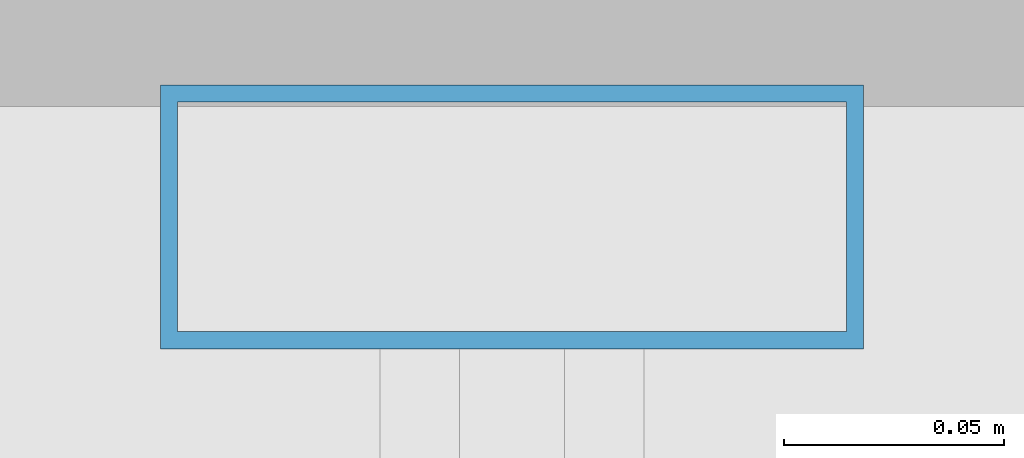
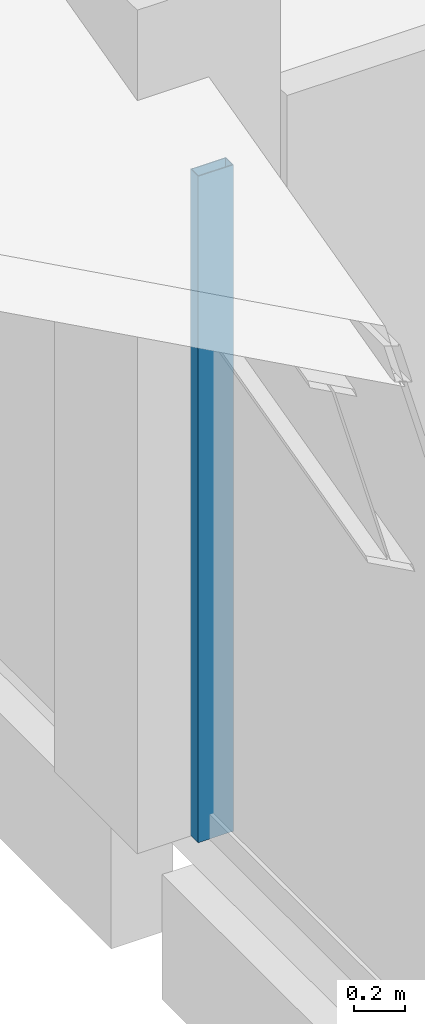
# One storey, part 35 of 108: 1 member, 1 element without a shape of its own.
"""IFC4 building model written with IfcOpenShell, lengths in metres."""

from ifc_helpers import new_model, si_unit, direction, frame, origin, origin_2d, place, context, subcontext, project, spatial, hollow_rectangle, extrude, material, layer, layer_set, material_profile, profile_set, type_object, element, aggregate, save


model = new_model("IFC4")

# Units and contexts
model_context = context("Model", 3, precision=1e-05, world=origin(), true_north=direction((0.0, 1.0)))
body_context = subcontext(model_context, "Body", "Model", "MODEL_VIEW")
ifc_project = project(units=[si_unit("LENGTHUNIT", "METRE"), si_unit("AREAUNIT", "SQUARE_METRE"), si_unit("VOLUMEUNIT", "CUBIC_METRE"), si_unit("PLANEANGLEUNIT", "RADIAN"), si_unit("MASSUNIT", "GRAM", prefix="KILO")], contexts=[model_context])

# Site, building, storey
site_placement = place(None, origin())
site = spatial("IfcSite", under=ifc_project, at=site_placement, CompositionType="ELEMENT")
building_placement = place(site_placement, origin())
building = spatial("IfcBuilding", under=site, at=building_placement, Name="Kangsadwip Square Police Headquarters", CompositionType="ELEMENT")
storey_placement = place(building_placement, frame((0.0, 0.0, 9.449951171875)))
storey = spatial("IfcBuildingStorey", under=building, at=storey_placement, Name="L02", CompositionType="ELEMENT", Elevation=9.449951171875)

# Curtain wall, member
ifc_material_1 = material(Name="Thermally broken anodised aluminium AW-6063-T6", Category="aluminium")
ifc_layer = layer(ifc_material_1, 0.159912109375)
ifc_layer_set = layer_set([ifc_layer], Name="Thermally broken anodised aluminium AW-6063-T6")
curtain_wall_type = type_object("IfcCurtainWallType", Name="CourtScreen6560x3200", PredefinedType="USERDEFINED", material=ifc_layer_set)
curtain_wall_placement = place(storey_placement, origin())
curtain_wall = element("IfcCurtainWall", 1, at=curtain_wall_placement, inside=storey, type_object=curtain_wall_type, Name="Curtain Wall CW-L02-0936-0939", ObjectType="GLAZED_SCREEN", PredefinedType="USERDEFINED")
ifc_material_2 = material(Name="Thermally broken anodised aluminium AW-6063-T6", Category="aluminium")
ifc_material_profile = material_profile(ifc_material_2, hollow_rectangle(XDim=0.06005859375, YDim=0.159912109375, WallThickness=0.00390625, at=origin_2d()), Name="CWM 160X60X4")
ifc_profile_set = profile_set([ifc_material_profile], Name="Thermally broken anodised aluminium AW-6063-T6")
member_type = type_object("IfcMemberType", Name="CwMullion135x60", PredefinedType="MULLION", material=ifc_profile_set)
member_placement = place(storey_placement, frame((93.60009765625, 100.449951171875, 0.0), z_axis=(0.0, 0.0, 1.0), x_axis=(0.0, 1.0, 0.0)))
member = element("IfcMember", 2, at=member_placement, type_object=member_type, Name="CW-33 mullion 2", PredefinedType="MULLION", context=body_context, shape_type="SweptSolid", body=[
    extrude(hollow_rectangle(XDim=0.06005859375, YDim=0.159912109375, WallThickness=0.00390625, at=origin_2d()), origin(), (0.0, 0.0, 1.0), 3.199951171875),
])
aggregate(curtain_wall, [member])

save(model, "model.ifc")
